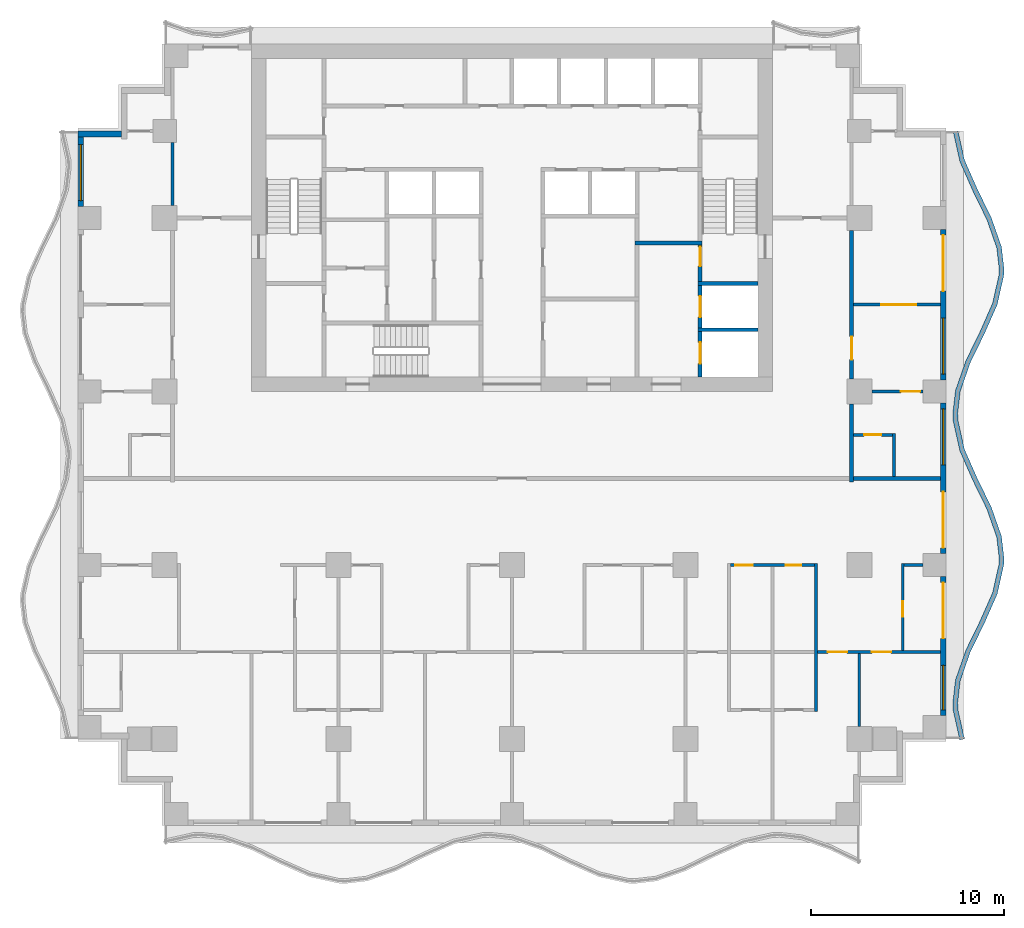
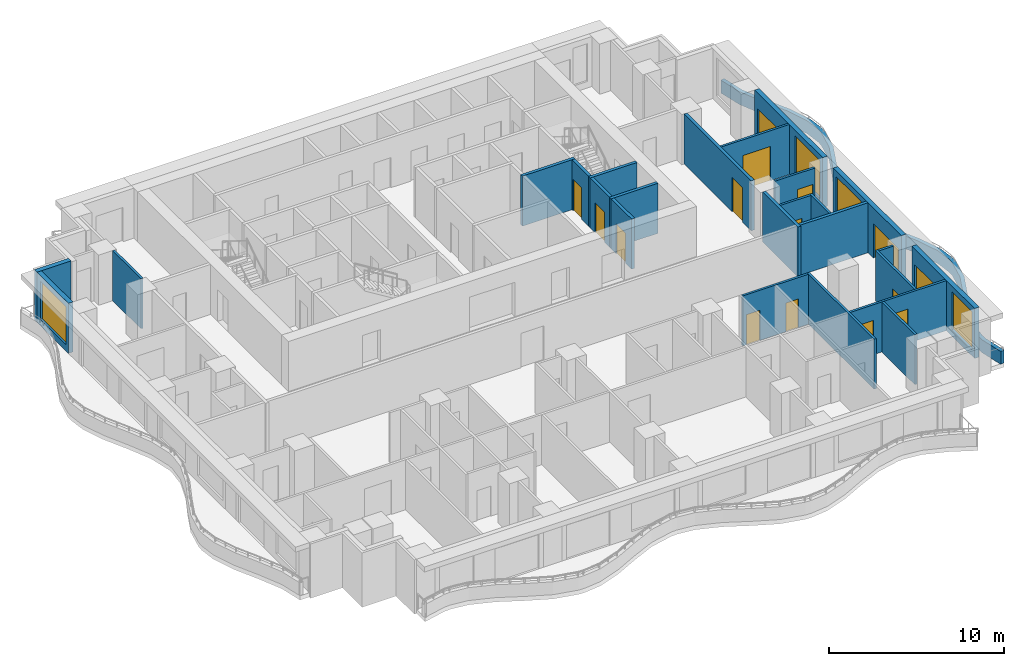
# One storey, part 4 of 10: 26 walls, 15 doors, 4 windows, 19 openings.
"""IFC4 building model written with IfcOpenShell, lengths in metres."""

from ifc_helpers import new_model, si_unit, direction, frame, frame_2d, origin, place, context, subcontext, project, spatial, polyline, rectangle, outline, extrude, material, layer, layer_set, type_object, element, fill, save


model = new_model("IFC4")

# Units and contexts
model_context = context("Model", 3, precision=1e-05, world=origin(), true_north=direction((0.0, 1.0)))
body_context = subcontext(model_context, "Body", "Model", "MODEL_VIEW")
ifc_project = project(units=[si_unit("LENGTHUNIT", "METRE"), si_unit("AREAUNIT", "SQUARE_METRE"), si_unit("VOLUMEUNIT", "CUBIC_METRE"), si_unit("PLANEANGLEUNIT", "RADIAN"), si_unit("MASSUNIT", "GRAM", prefix="KILO")], contexts=[model_context])

# Site, building, storey
site_placement = place(None, origin())
site = spatial("IfcSite", under=ifc_project, at=site_placement, CompositionType="ELEMENT")
building_placement = place(site_placement, origin())
building = spatial("IfcBuilding", under=site, at=building_placement, Name="Orbiselva Terraces", CompositionType="ELEMENT")
storey_placement = place(building_placement, frame((0.0, 0.0, 132.6)))
storey = spatial("IfcBuildingStorey", under=building, at=storey_placement, Name="L33", CompositionType="ELEMENT", Elevation=132.6)

# Wall
ifc_material_1 = material(Name="Concrete C60/75", Category="concrete")
ifc_layer_1 = layer(ifc_material_1, 0.2)
ifc_layer_set_1 = layer_set([ifc_layer_1], Name="Concrete C60/75")
wall_type_1 = type_object("IfcWallType", Name="CORE-WALL-SHEAR-200", PredefinedType="SHEAR", material=ifc_layer_set_1)
wall_1_placement = place(storey_placement, frame((6.375, 12.2, 0.0), z_axis=(0.0, 0.0, 1.0), x_axis=(1.0, 0.0, 0.0)))
element("IfcWall", 1, at=wall_1_placement, inside=storey, type_object=wall_type_1, Name="L33 core wall 38", PredefinedType="SHEAR", context=body_context, shape_type="SweptSolid", body=[
    extrude(rectangle(XDim=3.475, YDim=0.2, at=frame_2d((1.7375, 0.0))), origin(), (0.0, 0.0, 1.0), 3.5),
])

# Wall, opening, door
wall_2_placement = place(storey_placement, frame((9.75, 5.25, 0.0), z_axis=(0.0, 0.0, 1.0), x_axis=(0.0, 1.0, 0.0)))
wall_2 = element("IfcWall", 2, at=wall_2_placement, inside=storey, type_object=wall_type_1, Name="L33 core wall 42", PredefinedType="SHEAR", context=body_context, shape_type="SweptSolid", body=[
    extrude(rectangle(XDim=2.35, YDim=0.2, at=frame_2d((1.175, 0.0))), origin(), (0.0, 0.0, 1.0), 3.5),
])
opening_1_placement = place(wall_2_placement, frame((0.7, 0.0, 0.0)))
opening_1 = element("IfcOpeningElement", 3, at=opening_1_placement, cuts=wall_2, Name="Opening LD-FF1", PredefinedType="OPENING", context=body_context, shape_type="SweptSolid", body=[
    extrude(rectangle(XDim=1.1, YDim=2.1, at=frame_2d((0.55, 1.05))), frame((0.0, 0.11, 0.0), z_axis=(0.0, -1.0, 0.0), x_axis=(1.0, 0.0, 0.0)), (0.0, 0.0, 1.0), 0.22),
])
ifc_material_2 = material(Name="Stainless steel landing door", Category="steel")
door_type_1 = type_object("IfcDoorType", Name="LANDING DOOR 1100", OperationType="SLIDING_TO_LEFT", PredefinedType="DOOR", material=ifc_material_2)
door_1_placement = place(opening_1_placement, origin())
door_1 = element("IfcDoor", 4, at=door_1_placement, inside=storey, type_object=door_type_1, Name="L33 landing door FF1", OperationType="SLIDING_TO_RIGHT", OverallHeight=2.1, OverallWidth=1.1, PredefinedType="DOOR", context=body_context, shape_type="SweptSolid", body=[
    extrude(rectangle(XDim=1.1, YDim=2.1, at=frame_2d((0.55, 1.05))), frame((0.0, 0.025, 0.0), z_axis=(0.0, -1.0, 0.0), x_axis=(1.0, 0.0, 0.0)), (0.0, 0.0, 1.0), 0.05),
])
fill(opening_1, door_1)

# Wall
wall_3_placement = place(storey_placement, frame((9.65, 7.7, 0.0), z_axis=(0.0, 0.0, 1.0), x_axis=(1.0, 0.0, 0.0)))
element("IfcWall", 5, at=wall_3_placement, inside=storey, type_object=wall_type_1, Name="L33 core wall 43", PredefinedType="SHEAR", context=body_context, shape_type="SweptSolid", body=[
    extrude(rectangle(XDim=3.1, YDim=0.2, at=frame_2d((1.55, 0.0))), origin(), (0.0, 0.0, 1.0), 3.5),
])

# Wall, opening, door
wall_4_placement = place(storey_placement, frame((9.75, 7.8, 0.0), z_axis=(0.0, 0.0, 1.0), x_axis=(0.0, 1.0, 0.0)))
wall_4 = element("IfcWall", 6, at=wall_4_placement, inside=storey, type_object=wall_type_1, Name="L33 core wall 44", PredefinedType="SHEAR", context=body_context, shape_type="SweptSolid", body=[
    extrude(rectangle(XDim=2.2, YDim=0.2, at=frame_2d((1.1, 0.0))), origin(), (0.0, 0.0, 1.0), 3.5),
])
opening_2_placement = place(wall_4_placement, frame((0.55, 0.0, 0.0)))
opening_2 = element("IfcOpeningElement", 7, at=opening_2_placement, cuts=wall_4, Name="Opening LD-FF2", PredefinedType="OPENING", context=body_context, shape_type="SweptSolid", body=[
    extrude(rectangle(XDim=1.1, YDim=2.1, at=frame_2d((0.55, 1.05))), frame((0.0, 0.11, 0.0), z_axis=(0.0, -1.0, 0.0), x_axis=(1.0, 0.0, 0.0)), (0.0, 0.0, 1.0), 0.22),
])
door_2_placement = place(opening_2_placement, origin())
door_2 = element("IfcDoor", 8, at=door_2_placement, inside=storey, type_object=door_type_1, Name="L33 landing door FF2", OperationType="SLIDING_TO_RIGHT", OverallHeight=2.1, OverallWidth=1.1, PredefinedType="DOOR", context=body_context, shape_type="SweptSolid", body=[
    extrude(rectangle(XDim=1.1, YDim=2.1, at=frame_2d((0.55, 1.05))), frame((0.0, 0.025, 0.0), z_axis=(0.0, -1.0, 0.0), x_axis=(1.0, 0.0, 0.0)), (0.0, 0.0, 1.0), 0.05),
])
fill(opening_2, door_2)

# Wall
wall_5_placement = place(storey_placement, frame((9.65, 10.1, 0.0), z_axis=(0.0, 0.0, 1.0), x_axis=(1.0, 0.0, 0.0)))
element("IfcWall", 9, at=wall_5_placement, inside=storey, type_object=wall_type_1, Name="L33 core wall 45", PredefinedType="SHEAR", context=body_context, shape_type="SweptSolid", body=[
    extrude(rectangle(XDim=3.1, YDim=0.2, at=frame_2d((1.55, 0.0))), origin(), (0.0, 0.0, 1.0), 3.5),
])

# Wall, opening, door
wall_6_placement = place(storey_placement, frame((9.75, 12.1, 0.0), z_axis=(0.0, 0.0, 1.0), x_axis=(0.0, -1.0, 0.0)))
wall_6 = element("IfcWall", 10, at=wall_6_placement, inside=storey, type_object=wall_type_1, Name="L33 core wall 46", PredefinedType="SHEAR", context=body_context, shape_type="SweptSolid", body=[
    extrude(rectangle(XDim=1.9, YDim=0.2, at=frame_2d((0.95, 0.0))), origin(), (0.0, 0.0, 1.0), 3.5),
])
opening_3_placement = place(wall_6_placement, frame((0.1, 0.0, 0.0)))
opening_3 = element("IfcOpeningElement", 11, at=opening_3_placement, cuts=wall_6, Name="Opening DS1000", PredefinedType="OPENING", context=body_context, shape_type="SweptSolid", body=[
    extrude(rectangle(XDim=1.0, YDim=2.2, at=frame_2d((0.5, 1.1))), frame((0.0, 0.11, 0.0), z_axis=(0.0, -1.0, 0.0), x_axis=(1.0, 0.0, 0.0)), (0.0, 0.0, 1.0), 0.22),
])
ifc_material_3 = material(Name="Steel fire door", Category="steel")
door_type_2 = type_object("IfcDoorType", Name="STAIR DOOR 1000", OperationType="NOTDEFINED", PredefinedType="DOOR", material=ifc_material_3)
door_3_placement = place(opening_3_placement, origin())
door_3 = element("IfcDoor", 12, at=door_3_placement, inside=storey, type_object=door_type_2, Name="L33 FIRE-FIGHTING LOBBY TO EXIT STAIR S2 door", OperationType="SINGLE_SWING_LEFT", OverallHeight=2.2, OverallWidth=1.0, PredefinedType="DOOR", context=body_context, shape_type="SweptSolid", body=[
    extrude(rectangle(XDim=1.0, YDim=2.2, at=frame_2d((0.5, 1.1))), frame((0.0, 0.025, 0.0), z_axis=(0.0, -1.0, 0.0), x_axis=(1.0, 0.0, 0.0)), (0.0, 0.0, 1.0), 0.05),
])
fill(opening_3, door_3)

# Wall
ifc_material_4 = material(Name="Concrete C40/50", Category="concrete")
ifc_layer_2 = layer(ifc_material_4, 0.25)
ifc_layer_set_2 = layer_set([ifc_layer_2], Name="Concrete C40/50")
wall_type_2 = type_object("IfcWallType", Name="ENV-PLANTER-250x900", PredefinedType="USERDEFINED", material=ifc_layer_set_2)
wall_7_placement = place(storey_placement, origin())
element("IfcWall", 13, at=wall_7_placement, inside=storey, type_object=wall_type_2, Name="Balcony planter L33 E", ObjectType="PLANTER", PredefinedType="USERDEFINED", context=body_context, shape_type="SweptSolid", body=[
    extrude(outline(polyline([(23.451472, -13.5), (23.114774, -12.0), (23.1, -11.625), (23.230792, -10.5), (23.755211, -9.0), (24.487721, -7.5), (25.148528, -6.0), (25.485226, -4.5), (25.5, -4.125), (25.369208, -3.0), (24.844789, -1.5), (24.112279, 0.0), (23.451472, 1.5), (23.114774, 3.0), (23.1, 3.375), (23.230792, 4.5), (23.755211, 6.0), (24.487721, 7.5), (25.148528, 9.0), (25.485226, 10.5), (25.5, 10.875), (25.369208, 12.0), (24.844789, 13.5), (24.112279, 15.0), (23.451472, 16.5), (23.114774, 18.0), (22.870844, 17.945246), (23.212874, 16.421492), (23.885477, 14.894714), (24.613667, 13.40356), (25.124078, 11.943629), (25.249429, 10.865428), (25.236315, 10.532565), (24.90993, 9.078508), (24.260919, 7.605286), (23.524089, 6.09644), (22.985662, 4.556371), (22.849429, 3.384572), (22.865863, 2.967435), (23.212874, 1.421492), (23.885477, -0.105286), (24.613667, -1.59644), (25.124078, -3.056371), (25.249429, -4.134572), (25.236315, -4.467435), (24.90993, -5.921492), (24.260919, -7.394714), (23.524089, -8.90356), (22.985662, -10.443629), (22.849429, -11.615428), (22.865863, -12.032565), (23.207542, -13.554754), (23.451472, -13.5)])), origin(), (0.0, 0.0, 1.0), 0.9),
])

# Wall, openings, door, window
ifc_material_5 = material(Name="Terracotta cladding on masonry backing", Category="masonry")
ifc_layer_3 = layer(ifc_material_5, 0.3)
ifc_layer_set_3 = layer_set([ifc_layer_3], Name="Terracotta cladding on masonry backing")
wall_type_3 = type_object("IfcWallType", Name="ENV-WALL-TERRACOTTA-300", PredefinedType="SOLIDWALL", material=ifc_layer_set_3)
wall_8_placement = place(storey_placement, frame((22.35, -5.1, 0.0), z_axis=(0.0, 0.0, 1.0), x_axis=(0.0, -1.0, 0.0)))
wall_8 = element("IfcWall", 14, at=wall_8_placement, inside=storey, type_object=wall_type_3, Name="Facade wall L33 E", PredefinedType="SOLIDWALL", context=body_context, shape_type="SweptSolid", body=[
    extrude(rectangle(XDim=7.2, YDim=0.3, at=frame_2d((3.6, 0.0))), origin(), (0.0, 0.0, 1.0), 3.5),
])
opening_4_placement = place(wall_8_placement, frame((4.6, 0.0, 0.45)))
opening_4 = element("IfcOpeningElement", 15, at=opening_4_placement, cuts=wall_8, Name="Opening WN7", PredefinedType="OPENING", context=body_context, shape_type="SweptSolid", body=[
    extrude(rectangle(XDim=2.3, YDim=2.65, at=frame_2d((1.15, 1.325))), frame((0.0, 0.16, 0.0), z_axis=(0.0, -1.0, 0.0), x_axis=(1.0, 0.0, 0.0)), (0.0, 0.0, 1.0), 0.32),
])
opening_5_placement = place(wall_8_placement, frame((0.3, 0.0, 0.0)))
opening_5 = element("IfcOpeningElement", 16, at=opening_5_placement, cuts=wall_8, Name="Opening Z3-A-E18", PredefinedType="OPENING", context=body_context, shape_type="SweptSolid", body=[
    extrude(rectangle(XDim=2.9, YDim=2.4, at=frame_2d((1.45, 1.2))), frame((0.0, 0.16, 0.0), z_axis=(0.0, -1.0, 0.0), x_axis=(1.0, 0.0, 0.0)), (0.0, 0.0, 1.0), 0.32),
])
ifc_material_6 = material(Name="Clear low-e glazing in aluminium frame", Category="aluminium")
door_type_3 = type_object("IfcDoorType", Name="BALCONY DOOR 2900 X 2400", OperationType="DOUBLE_DOOR_SLIDING", PredefinedType="DOOR", material=ifc_material_6)
door_4_placement = place(opening_5_placement, origin())
door_4 = element("IfcDoor", 17, at=door_4_placement, inside=storey, type_object=door_type_3, Name="Z3-A-E18", OperationType="SINGLE_SWING_LEFT", OverallHeight=2.4, OverallWidth=2.9, PredefinedType="DOOR", context=body_context, shape_type="SweptSolid", body=[
    extrude(rectangle(XDim=2.9, YDim=2.4, at=frame_2d((1.45, 1.2))), frame((0.0, 0.025, 0.0), z_axis=(0.0, -1.0, 0.0), x_axis=(1.0, 0.0, 0.0)), (0.0, 0.0, 1.0), 0.05),
])
fill(opening_5, door_4)
window_type_1 = type_object("IfcWindowType", Name="WINDOW 2300 X 2650 S450", PartitioningType="TRIPLE_PANEL_VERTICAL", PredefinedType="WINDOW", material=ifc_material_6)
window_1_placement = place(opening_4_placement, origin())
window_1 = element("IfcWindow", 18, at=window_1_placement, inside=storey, type_object=window_type_1, Name="Window L33 E", OverallHeight=2.65, OverallWidth=2.3, PartitioningType="SINGLE_PANEL", PredefinedType="WINDOW", context=body_context, shape_type="SweptSolid", body=[
    extrude(rectangle(XDim=2.3, YDim=2.65, at=frame_2d((1.15, 1.325))), frame((0.0, 0.03, 0.0), z_axis=(0.0, -1.0, 0.0), x_axis=(1.0, 0.0, 0.0)), (0.0, 0.0, 1.0), 0.06),
])
fill(opening_4, window_1)

wall_9_placement = place(storey_placement, frame((22.35, 3.9, 0.0), z_axis=(0.0, 0.0, 1.0), x_axis=(0.0, -1.0, 0.0)))
wall_9 = element("IfcWall", 19, at=wall_9_placement, inside=storey, type_object=wall_type_3, Name="Facade wall L33 E", PredefinedType="SOLIDWALL", context=body_context, shape_type="SweptSolid", body=[
    extrude(rectangle(XDim=7.8, YDim=0.3, at=frame_2d((3.9, 0.0))), origin(), (0.0, 0.0, 1.0), 3.5),
])
opening_6_placement = place(wall_9_placement, frame((4.6, 0.0, 0.0)))
opening_6 = element("IfcOpeningElement", 20, at=opening_6_placement, cuts=wall_9, Name="Opening Z3-A-E04", PredefinedType="OPENING", context=body_context, shape_type="SweptSolid", body=[
    extrude(rectangle(XDim=2.9, YDim=2.4, at=frame_2d((1.45, 1.2))), frame((0.0, 0.16, 0.0), z_axis=(0.0, -1.0, 0.0), x_axis=(1.0, 0.0, 0.0)), (0.0, 0.0, 1.0), 0.32),
])
opening_7_placement = place(wall_9_placement, frame((0.3, 0.0, 0.45)))
opening_7 = element("IfcOpeningElement", 21, at=opening_7_placement, cuts=wall_9, Name="Opening WN8", PredefinedType="OPENING", context=body_context, shape_type="SweptSolid", body=[
    extrude(rectangle(XDim=2.9, YDim=2.65, at=frame_2d((1.45, 1.325))), frame((0.0, 0.16, 0.0), z_axis=(0.0, -1.0, 0.0), x_axis=(1.0, 0.0, 0.0)), (0.0, 0.0, 1.0), 0.32),
])
door_5_placement = place(opening_6_placement, origin())
door_5 = element("IfcDoor", 22, at=door_5_placement, inside=storey, type_object=door_type_3, Name="Z3-A-E04", OperationType="SINGLE_SWING_LEFT", OverallHeight=2.4, OverallWidth=2.9, PredefinedType="DOOR", context=body_context, shape_type="SweptSolid", body=[
    extrude(rectangle(XDim=2.9, YDim=2.4, at=frame_2d((1.45, 1.2))), frame((0.0, 0.025, 0.0), z_axis=(0.0, -1.0, 0.0), x_axis=(1.0, 0.0, 0.0)), (0.0, 0.0, 1.0), 0.05),
])
fill(opening_6, door_5)
window_type_2 = type_object("IfcWindowType", Name="WINDOW 2900 X 2650 S450", PartitioningType="TRIPLE_PANEL_VERTICAL", PredefinedType="WINDOW", material=ifc_material_6)
window_2_placement = place(opening_7_placement, origin())
window_2 = element("IfcWindow", 23, at=window_2_placement, inside=storey, type_object=window_type_2, Name="Window L33 E", OverallHeight=2.65, OverallWidth=2.9, PartitioningType="SINGLE_PANEL", PredefinedType="WINDOW", context=body_context, shape_type="SweptSolid", body=[
    extrude(rectangle(XDim=2.9, YDim=2.65, at=frame_2d((1.45, 1.325))), frame((0.0, 0.03, 0.0), z_axis=(0.0, -1.0, 0.0), x_axis=(1.0, 0.0, 0.0)), (0.0, 0.0, 1.0), 0.06),
])
fill(opening_7, window_2)

wall_10_placement = place(storey_placement, frame((22.35, 12.9, 0.0), z_axis=(0.0, 0.0, 1.0), x_axis=(0.0, -1.0, 0.0)))
wall_10 = element("IfcWall", 24, at=wall_10_placement, inside=storey, type_object=wall_type_3, Name="Facade wall L33 E", PredefinedType="SOLIDWALL", context=body_context, shape_type="SweptSolid", body=[
    extrude(rectangle(XDim=7.8, YDim=0.3, at=frame_2d((3.9, 0.0))), origin(), (0.0, 0.0, 1.0), 3.5),
])
opening_8_placement = place(wall_10_placement, frame((4.6, 0.0, 0.45)))
opening_8 = element("IfcOpeningElement", 25, at=opening_8_placement, cuts=wall_10, Name="Opening WN8", PredefinedType="OPENING", context=body_context, shape_type="SweptSolid", body=[
    extrude(rectangle(XDim=2.9, YDim=2.65, at=frame_2d((1.45, 1.325))), frame((0.0, 0.16, 0.0), z_axis=(0.0, -1.0, 0.0), x_axis=(1.0, 0.0, 0.0)), (0.0, 0.0, 1.0), 0.32),
])
opening_9_placement = place(wall_10_placement, frame((0.3, 0.0, 0.0)))
opening_9 = element("IfcOpeningElement", 26, at=opening_9_placement, cuts=wall_10, Name="Opening Z3-A-E13", PredefinedType="OPENING", context=body_context, shape_type="SweptSolid", body=[
    extrude(rectangle(XDim=2.9, YDim=2.4, at=frame_2d((1.45, 1.2))), frame((0.0, 0.16, 0.0), z_axis=(0.0, -1.0, 0.0), x_axis=(1.0, 0.0, 0.0)), (0.0, 0.0, 1.0), 0.32),
])
door_6_placement = place(opening_9_placement, origin())
door_6 = element("IfcDoor", 27, at=door_6_placement, inside=storey, type_object=door_type_3, Name="Z3-A-E13", OperationType="SINGLE_SWING_LEFT", OverallHeight=2.4, OverallWidth=2.9, PredefinedType="DOOR", context=body_context, shape_type="SweptSolid", body=[
    extrude(rectangle(XDim=2.9, YDim=2.4, at=frame_2d((1.45, 1.2))), frame((0.0, 0.025, 0.0), z_axis=(0.0, -1.0, 0.0), x_axis=(1.0, 0.0, 0.0)), (0.0, 0.0, 1.0), 0.05),
])
fill(opening_9, door_6)
window_3_placement = place(opening_8_placement, origin())
window_3 = element("IfcWindow", 28, at=window_3_placement, inside=storey, type_object=window_type_2, Name="Window L33 E", OverallHeight=2.65, OverallWidth=2.9, PartitioningType="SINGLE_PANEL", PredefinedType="WINDOW", context=body_context, shape_type="SweptSolid", body=[
    extrude(rectangle(XDim=2.9, YDim=2.65, at=frame_2d((1.45, 1.325))), frame((0.0, 0.03, 0.0), z_axis=(0.0, -1.0, 0.0), x_axis=(1.0, 0.0, 0.0)), (0.0, 0.0, 1.0), 0.06),
])
fill(opening_8, window_3)

# Wall
wall_11_placement = place(storey_placement, frame((-22.5, 17.85, 0.0), z_axis=(0.0, 0.0, 1.0), x_axis=(1.0, 0.0, 0.0)))
element("IfcWall", 29, at=wall_11_placement, inside=storey, type_object=wall_type_3, Name="Facade wall L33 STEP", PredefinedType="SOLIDWALL", context=body_context, shape_type="SweptSolid", body=[
    extrude(rectangle(XDim=2.25, YDim=0.3, at=frame_2d((1.125, 0.0))), origin(), (0.0, 0.0, 1.0), 3.5),
])

# Wall, opening, window
wall_12_placement = place(storey_placement, frame((-22.35, 14.1, 0.0), z_axis=(0.0, 0.0, 1.0), x_axis=(0.0, 1.0, 0.0)))
wall_12 = element("IfcWall", 30, at=wall_12_placement, inside=storey, type_object=wall_type_3, Name="Facade wall L33 W", PredefinedType="SOLIDWALL", context=body_context, shape_type="SweptSolid", body=[
    extrude(rectangle(XDim=3.6, YDim=0.3, at=frame_2d((1.8, 0.0))), origin(), (0.0, 0.0, 1.0), 3.5),
])
opening_10_placement = place(wall_12_placement, frame((0.3, 0.0, 0.45)))
opening_10 = element("IfcOpeningElement", 31, at=opening_10_placement, cuts=wall_12, Name="Opening WN8", PredefinedType="OPENING", context=body_context, shape_type="SweptSolid", body=[
    extrude(rectangle(XDim=2.9, YDim=2.65, at=frame_2d((1.45, 1.325))), frame((0.0, 0.16, 0.0), z_axis=(0.0, -1.0, 0.0), x_axis=(1.0, 0.0, 0.0)), (0.0, 0.0, 1.0), 0.32),
])
window_4_placement = place(opening_10_placement, origin())
window_4 = element("IfcWindow", 32, at=window_4_placement, inside=storey, type_object=window_type_2, Name="Window L33 W", OverallHeight=2.65, OverallWidth=2.9, PartitioningType="SINGLE_PANEL", PredefinedType="WINDOW", context=body_context, shape_type="SweptSolid", body=[
    extrude(rectangle(XDim=2.9, YDim=2.65, at=frame_2d((1.45, 1.325))), frame((0.0, 0.03, 0.0), z_axis=(0.0, -1.0, 0.0), x_axis=(1.0, 0.0, 0.0)), (0.0, 0.0, 1.0), 0.06),
])
fill(opening_10, window_4)

# Wall
ifc_material_7 = material(Name="Plasterboard on steel stud partition", Category="steel")
ifc_layer_4 = layer(ifc_material_7, 0.2)
ifc_layer_set_4 = layer_set([ifc_layer_4], Name="Plasterboard on steel stud partition")
wall_type_4 = type_object("IfcWallType", Name="UNIT-ENTRANCE-WALL-200", PredefinedType="PARTITIONING", material=ifc_layer_set_4)
wall_13_placement = place(storey_placement, frame((17.6, -0.2, 0.0), z_axis=(0.0, 0.0, 1.0), x_axis=(0.0, 1.0, 0.0)))
element("IfcWall", 33, at=wall_13_placement, inside=storey, type_object=wall_type_4, Name="PARTITION L33-058", PredefinedType="PARTITIONING", context=body_context, shape_type="SweptSolid", body=[
    extrude(rectangle(XDim=4.05, YDim=0.2, at=frame_2d((2.025, 0.0))), origin(), (0.0, 0.0, 1.0), 3.5),
])

# Wall, opening, door
wall_14_placement = place(storey_placement, frame((17.6, 12.85, 0.0), z_axis=(0.0, 0.0, 1.0), x_axis=(0.0, -1.0, 0.0)))
wall_14 = element("IfcWall", 34, at=wall_14_placement, inside=storey, type_object=wall_type_4, Name="PARTITION L33-059", PredefinedType="PARTITIONING", context=body_context, shape_type="SweptSolid", body=[
    extrude(rectangle(XDim=7.7, YDim=0.2, at=frame_2d((3.85, 0.0))), origin(), (0.0, 0.0, 1.0), 3.5),
])
opening_11_placement = place(wall_14_placement, frame((5.5, 0.0, 0.0)))
opening_11 = element("IfcOpeningElement", 35, at=opening_11_placement, cuts=wall_14, Name="Opening Z3-A-10", PredefinedType="OPENING", context=body_context, shape_type="SweptSolid", body=[
    extrude(rectangle(XDim=1.2, YDim=2.4, at=frame_2d((0.6, 1.2))), frame((0.0, 0.11, 0.0), z_axis=(0.0, -1.0, 0.0), x_axis=(1.0, 0.0, 0.0)), (0.0, 0.0, 1.0), 0.22),
])
ifc_material_8 = material(Name="Painted timber door leaf", Category="wood")
door_type_4 = type_object("IfcDoorType", Name="ENTRANCE DOOR 1200", OperationType="NOTDEFINED", PredefinedType="DOOR", material=ifc_material_8)
door_7_placement = place(opening_11_placement, origin())
door_7 = element("IfcDoor", 36, at=door_7_placement, inside=storey, type_object=door_type_4, Name="Z3-A-10", OperationType="SINGLE_SWING_RIGHT", OverallHeight=2.4, OverallWidth=1.2, PredefinedType="DOOR", context=body_context, shape_type="SweptSolid", body=[
    extrude(rectangle(XDim=1.2, YDim=2.4, at=frame_2d((0.6, 1.2))), frame((0.0, 0.025, 0.0), z_axis=(0.0, -1.0, 0.0), x_axis=(1.0, 0.0, 0.0)), (0.0, 0.0, 1.0), 0.05),
])
fill(opening_11, door_7)

# Wall, openings, doors
ifc_layer_5 = layer(ifc_material_7, 0.15)
ifc_layer_set_5 = layer_set([ifc_layer_5], Name="Plasterboard on steel stud partition")
wall_type_5 = type_object("IfcWallType", Name="UNIT-PARTITION-150", PredefinedType="PARTITIONING", material=ifc_layer_set_5)
wall_15_placement = place(storey_placement, frame((22.2, -9.0, 0.0), z_axis=(0.0, 0.0, 1.0), x_axis=(-1.0, 0.0, 0.0)))
wall_15 = element("IfcWall", 37, at=wall_15_placement, inside=storey, type_object=wall_type_5, Name="PARTITION L33-014", PredefinedType="PARTITIONING", context=body_context, shape_type="SweptSolid", body=[
    extrude(rectangle(XDim=6.375, YDim=0.15, at=frame_2d((3.1875, 0.0))), origin(), (0.0, 0.0, 1.0), 3.5),
])
opening_12_placement = place(wall_15_placement, frame((4.825, 0.0, 0.0)))
opening_12 = element("IfcOpeningElement", 38, at=opening_12_placement, cuts=wall_15, Name="Opening Z3-A-33", PredefinedType="OPENING", context=body_context, shape_type="SweptSolid", body=[
    extrude(rectangle(XDim=1.0, YDim=2.4, at=frame_2d((0.5, 1.2))), frame((0.0, 0.085, 0.0), z_axis=(0.0, -1.0, 0.0), x_axis=(1.0, 0.0, 0.0)), (0.0, 0.0, 1.0), 0.17),
])
opening_13_placement = place(wall_15_placement, frame((2.55, 0.0, 0.0)))
opening_13 = element("IfcOpeningElement", 39, at=opening_13_placement, cuts=wall_15, Name="Opening Z3-A-35", PredefinedType="OPENING", context=body_context, shape_type="SweptSolid", body=[
    extrude(rectangle(XDim=1.0, YDim=2.4, at=frame_2d((0.5, 1.2))), frame((0.0, 0.085, 0.0), z_axis=(0.0, -1.0, 0.0), x_axis=(1.0, 0.0, 0.0)), (0.0, 0.0, 1.0), 0.17),
])
door_type_5 = type_object("IfcDoorType", Name="ROOM DOOR 1000", OperationType="NOTDEFINED", PredefinedType="DOOR", material=ifc_material_8)
door_8_placement = place(opening_12_placement, origin())
door_8 = element("IfcDoor", 40, at=door_8_placement, inside=storey, type_object=door_type_5, Name="Z3-A-33", OperationType="SINGLE_SWING_RIGHT", OverallHeight=2.4, OverallWidth=1.0, PredefinedType="DOOR", context=body_context, shape_type="SweptSolid", body=[
    extrude(rectangle(XDim=1.0, YDim=2.4, at=frame_2d((0.5, 1.2))), frame((0.0, 0.025, 0.0), z_axis=(0.0, -1.0, 0.0), x_axis=(1.0, 0.0, 0.0)), (0.0, 0.0, 1.0), 0.05),
])
fill(opening_12, door_8)
door_9_placement = place(opening_13_placement, origin())
door_9 = element("IfcDoor", 41, at=door_9_placement, inside=storey, type_object=door_type_5, Name="Z3-A-35", OperationType="SINGLE_SWING_LEFT", OverallHeight=2.4, OverallWidth=1.0, PredefinedType="DOOR", context=body_context, shape_type="SweptSolid", body=[
    extrude(rectangle(XDim=1.0, YDim=2.4, at=frame_2d((0.5, 1.2))), frame((0.0, 0.025, 0.0), z_axis=(0.0, -1.0, 0.0), x_axis=(1.0, 0.0, 0.0)), (0.0, 0.0, 1.0), 0.05),
])
fill(opening_13, door_9)

wall_16_placement = place(storey_placement, frame((15.675, -4.5, 0.0), z_axis=(0.0, 0.0, 1.0), x_axis=(-1.0, 0.0, 0.0)))
wall_16 = element("IfcWall", 42, at=wall_16_placement, inside=storey, type_object=wall_type_5, Name="PARTITION L33-020", PredefinedType="PARTITIONING", context=body_context, shape_type="SweptSolid", body=[
    extrude(rectangle(XDim=4.35, YDim=0.15, at=frame_2d((2.175, 0.0))), origin(), (0.0, 0.0, 1.0), 3.5),
])
opening_14_placement = place(wall_16_placement, frame((3.2, 0.0, 0.0)))
opening_14 = element("IfcOpeningElement", 43, at=opening_14_placement, cuts=wall_16, Name="Opening Z3-A-20", PredefinedType="OPENING", context=body_context, shape_type="SweptSolid", body=[
    extrude(rectangle(XDim=0.9, YDim=2.1, at=frame_2d((0.45, 1.05))), frame((0.0, 0.085, 0.0), z_axis=(0.0, -1.0, 0.0), x_axis=(1.0, 0.0, 0.0)), (0.0, 0.0, 1.0), 0.17),
])
opening_15_placement = place(wall_16_placement, frame((0.675, 0.0, 0.0)))
opening_15 = element("IfcOpeningElement", 44, at=opening_15_placement, cuts=wall_16, Name="Opening Z3-A-21", PredefinedType="OPENING", context=body_context, shape_type="SweptSolid", body=[
    extrude(rectangle(XDim=0.8, YDim=2.0, at=frame_2d((0.4, 1.0))), frame((0.0, 0.085, 0.0), z_axis=(0.0, -1.0, 0.0), x_axis=(1.0, 0.0, 0.0)), (0.0, 0.0, 1.0), 0.17),
])
door_type_6 = type_object("IfcDoorType", Name="SERVICE DOOR 900", OperationType="NOTDEFINED", PredefinedType="DOOR", material=ifc_material_8)
door_10_placement = place(opening_14_placement, origin())
door_10 = element("IfcDoor", 45, at=door_10_placement, inside=storey, type_object=door_type_6, Name="Z3-A-20", OperationType="SINGLE_SWING_RIGHT", OverallHeight=2.1, OverallWidth=0.9, PredefinedType="DOOR", context=body_context, shape_type="SweptSolid", body=[
    extrude(rectangle(XDim=0.9, YDim=2.1, at=frame_2d((0.45, 1.05))), frame((0.0, 0.025, 0.0), z_axis=(0.0, -1.0, 0.0), x_axis=(1.0, 0.0, 0.0)), (0.0, 0.0, 1.0), 0.05),
])
fill(opening_14, door_10)
door_type_7 = type_object("IfcDoorType", Name="STORE DOOR 800", OperationType="NOTDEFINED", PredefinedType="DOOR", material=ifc_material_8)
door_11_placement = place(opening_15_placement, origin())
door_11 = element("IfcDoor", 46, at=door_11_placement, inside=storey, type_object=door_type_7, Name="Z3-A-21", OperationType="SINGLE_SWING_LEFT", OverallHeight=2.0, OverallWidth=0.8, PredefinedType="DOOR", context=body_context, shape_type="SweptSolid", body=[
    extrude(rectangle(XDim=0.8, YDim=2.0, at=frame_2d((0.4, 1.0))), frame((0.0, 0.025, 0.0), z_axis=(0.0, -1.0, 0.0), x_axis=(1.0, 0.0, 0.0)), (0.0, 0.0, 1.0), 0.05),
])
fill(opening_15, door_11)

# Wall
wall_17_placement = place(storey_placement, frame((20.325, -4.5, 0.0), z_axis=(0.0, 0.0, 1.0), x_axis=(1.0, 0.0, 0.0)))
element("IfcWall", 47, at=wall_17_placement, inside=storey, type_object=wall_type_5, Name="PARTITION L33-021", PredefinedType="PARTITIONING", context=body_context, shape_type="SweptSolid", body=[
    extrude(rectangle(XDim=0.975, YDim=0.15, at=frame_2d((0.4875, 0.0))), origin(), (0.0, 0.0, 1.0), 3.5),
])

# Wall, opening, door
wall_18_placement = place(storey_placement, frame((19.73, 2.25, 0.0), z_axis=(0.0, 0.0, 1.0), x_axis=(-1.0, 0.0, 0.0)))
wall_18 = element("IfcWall", 48, at=wall_18_placement, inside=storey, type_object=wall_type_5, Name="PARTITION L33-026", PredefinedType="PARTITIONING", context=body_context, shape_type="SweptSolid", body=[
    extrude(rectangle(XDim=2.03, YDim=0.15, at=frame_2d((1.015, 0.0))), origin(), (0.0, 0.0, 1.0), 3.5),
])
opening_16_placement = place(wall_18_placement, frame((0.58, 0.0, 0.0)))
opening_16 = element("IfcOpeningElement", 49, at=opening_16_placement, cuts=wall_18, Name="Opening Z3-A-09", PredefinedType="OPENING", context=body_context, shape_type="SweptSolid", body=[
    extrude(rectangle(XDim=0.9, YDim=2.1, at=frame_2d((0.45, 1.05))), frame((0.0, 0.085, 0.0), z_axis=(0.0, -1.0, 0.0), x_axis=(1.0, 0.0, 0.0)), (0.0, 0.0, 1.0), 0.17),
])
door_type_8 = type_object("IfcDoorType", Name="BATH DOOR 900", OperationType="NOTDEFINED", PredefinedType="DOOR", material=ifc_material_8)
door_12_placement = place(opening_16_placement, origin())
door_12 = element("IfcDoor", 50, at=door_12_placement, inside=storey, type_object=door_type_8, Name="Z3-A-09", OperationType="SINGLE_SWING_RIGHT", OverallHeight=2.1, OverallWidth=0.9, PredefinedType="DOOR", context=body_context, shape_type="SweptSolid", body=[
    extrude(rectangle(XDim=0.9, YDim=2.1, at=frame_2d((0.45, 1.05))), frame((0.0, 0.025, 0.0), z_axis=(0.0, -1.0, 0.0), x_axis=(1.0, 0.0, 0.0)), (0.0, 0.0, 1.0), 0.05),
])
fill(opening_16, door_12)

wall_19_placement = place(storey_placement, frame((21.3, 4.5, 0.0), z_axis=(0.0, 0.0, 1.0), x_axis=(-1.0, 0.0, 0.0)))
wall_19 = element("IfcWall", 51, at=wall_19_placement, inside=storey, type_object=wall_type_5, Name="PARTITION L33-028", PredefinedType="PARTITIONING", context=body_context, shape_type="SweptSolid", body=[
    extrude(rectangle(XDim=2.65, YDim=0.15, at=frame_2d((1.325, 0.0))), origin(), (0.0, 0.0, 1.0), 3.5),
])
opening_17_placement = place(wall_19_placement, frame((0.15, 0.0, 0.0)))
opening_17 = element("IfcOpeningElement", 52, at=opening_17_placement, cuts=wall_19, Name="Opening Z3-A-08", PredefinedType="OPENING", context=body_context, shape_type="SweptSolid", body=[
    extrude(rectangle(XDim=1.0, YDim=2.4, at=frame_2d((0.5, 1.2))), frame((0.0, 0.085, 0.0), z_axis=(0.0, -1.0, 0.0), x_axis=(1.0, 0.0, 0.0)), (0.0, 0.0, 1.0), 0.17),
])
door_13_placement = place(opening_17_placement, origin())
door_13 = element("IfcDoor", 53, at=door_13_placement, inside=storey, type_object=door_type_5, Name="Z3-A-08", OperationType="SINGLE_SWING_LEFT", OverallHeight=2.4, OverallWidth=1.0, PredefinedType="DOOR", context=body_context, shape_type="SweptSolid", body=[
    extrude(rectangle(XDim=1.0, YDim=2.4, at=frame_2d((0.5, 1.2))), frame((0.0, 0.025, 0.0), z_axis=(0.0, -1.0, 0.0), x_axis=(1.0, 0.0, 0.0)), (0.0, 0.0, 1.0), 0.05),
])
fill(opening_17, door_13)

wall_20_placement = place(storey_placement, frame((17.7, 9.0, 0.0), z_axis=(0.0, 0.0, 1.0), x_axis=(1.0, 0.0, 0.0)))
wall_20 = element("IfcWall", 54, at=wall_20_placement, inside=storey, type_object=wall_type_5, Name="PARTITION L33-030", PredefinedType="PARTITIONING", context=body_context, shape_type="SweptSolid", body=[
    extrude(rectangle(XDim=4.5, YDim=0.15, at=frame_2d((2.25, 0.0))), origin(), (0.0, 0.0, 1.0), 3.5),
])
opening_18_placement = place(wall_20_placement, frame((1.45, 0.0, 0.0)))
opening_18 = element("IfcOpeningElement", 55, at=opening_18_placement, cuts=wall_20, Name="Opening Z3-A-11", PredefinedType="OPENING", context=body_context, shape_type="SweptSolid", body=[
    extrude(rectangle(XDim=1.8, YDim=2.4, at=frame_2d((0.9, 1.2))), frame((0.0, 0.085, 0.0), z_axis=(0.0, -1.0, 0.0), x_axis=(1.0, 0.0, 0.0)), (0.0, 0.0, 1.0), 0.17),
])
door_type_9 = type_object("IfcDoorType", Name="DOUBLE DOOR 1800", OperationType="NOTDEFINED", PredefinedType="DOOR", material=ifc_material_8)
door_14_placement = place(opening_18_placement, origin())
door_14 = element("IfcDoor", 56, at=door_14_placement, inside=storey, type_object=door_type_9, Name="Z3-A-11", OperationType="DOUBLE_DOOR_SINGLE_SWING", OverallHeight=2.4, OverallWidth=1.8, PredefinedType="DOOR", context=body_context, shape_type="SweptSolid", body=[
    extrude(rectangle(XDim=1.8, YDim=2.4, at=frame_2d((0.9, 1.2))), frame((0.0, 0.025, 0.0), z_axis=(0.0, -1.0, 0.0), x_axis=(1.0, 0.0, 0.0)), (0.0, 0.0, 1.0), 0.05),
])
fill(opening_18, door_14)

# Walls
wall_21_placement = place(storey_placement, frame((-17.6, 14.15, 0.0), z_axis=(0.0, 0.0, 1.0), x_axis=(0.0, 1.0, 0.0)))
element("IfcWall", 57, at=wall_21_placement, inside=storey, type_object=wall_type_5, Name="PARTITION L33-039", PredefinedType="PARTITIONING", context=body_context, shape_type="SweptSolid", body=[
    extrude(rectangle(XDim=3.25, YDim=0.15, at=frame_2d((1.625, 0.0))), origin(), (0.0, 0.0, 1.0), 3.5),
])
wall_22_placement = place(storey_placement, frame((15.75, -12.075, 0.0), z_axis=(0.0, 0.0, 1.0), x_axis=(0.0, 1.0, 0.0)))
element("IfcWall", 58, at=wall_22_placement, inside=storey, type_object=wall_type_5, Name="PARTITION L33-057", PredefinedType="PARTITIONING", context=body_context, shape_type="SweptSolid", body=[
    extrude(rectangle(XDim=7.65, YDim=0.15, at=frame_2d((3.825, 0.0))), origin(), (0.0, 0.0, 1.0), 3.5),
])
wall_23_placement = place(storey_placement, frame((18.0, -12.85, 0.0), z_axis=(0.0, 0.0, 1.0), x_axis=(0.0, 1.0, 0.0)))
element("IfcWall", 59, at=wall_23_placement, inside=storey, type_object=wall_type_5, Name="PARTITION L33-063", PredefinedType="PARTITIONING", context=body_context, shape_type="SweptSolid", body=[
    extrude(rectangle(XDim=3.775, YDim=0.15, at=frame_2d((1.8875, 0.0))), origin(), (0.0, 0.0, 1.0), 3.5),
])
wall_24_placement = place(storey_placement, frame((19.805, 0.1, 0.0), z_axis=(0.0, 0.0, 1.0), x_axis=(0.0, 1.0, 0.0)))
element("IfcWall", 60, at=wall_24_placement, inside=storey, type_object=wall_type_5, Name="PARTITION L33-064", PredefinedType="PARTITIONING", context=body_context, shape_type="SweptSolid", body=[
    extrude(rectangle(XDim=2.225, YDim=0.15, at=frame_2d((1.1125, 0.0))), origin(), (0.0, 0.0, 1.0), 3.5),
])

# Wall, opening, door
wall_25_placement = place(storey_placement, frame((20.25, -4.425, 0.0), z_axis=(0.0, 0.0, 1.0), x_axis=(0.0, -1.0, 0.0)))
wall_25 = element("IfcWall", 61, at=wall_25_placement, inside=storey, type_object=wall_type_5, Name="PARTITION L33-065", PredefinedType="PARTITIONING", context=body_context, shape_type="SweptSolid", body=[
    extrude(rectangle(XDim=4.5, YDim=0.15, at=frame_2d((2.25, 0.0))), origin(), (0.0, 0.0, 1.0), 3.5),
])
opening_19_placement = place(wall_25_placement, frame((1.95, 0.0, 0.0)))
opening_19 = element("IfcOpeningElement", 62, at=opening_19_placement, cuts=wall_25, Name="Opening Z3-A-22", PredefinedType="OPENING", context=body_context, shape_type="SweptSolid", body=[
    extrude(rectangle(XDim=0.8, YDim=2.0, at=frame_2d((0.4, 1.0))), frame((0.0, 0.085, 0.0), z_axis=(0.0, -1.0, 0.0), x_axis=(1.0, 0.0, 0.0)), (0.0, 0.0, 1.0), 0.17),
])
door_15_placement = place(opening_19_placement, origin())
door_15 = element("IfcDoor", 63, at=door_15_placement, inside=storey, type_object=door_type_7, Name="Z3-A-22", OperationType="SINGLE_SWING_RIGHT", OverallHeight=2.0, OverallWidth=0.8, PredefinedType="DOOR", context=body_context, shape_type="SweptSolid", body=[
    extrude(rectangle(XDim=0.8, YDim=2.0, at=frame_2d((0.4, 1.0))), frame((0.0, 0.025, 0.0), z_axis=(0.0, -1.0, 0.0), x_axis=(1.0, 0.0, 0.0)), (0.0, 0.0, 1.0), 0.05),
])
fill(opening_19, door_15)

# Wall
ifc_layer_6 = layer(ifc_material_7, 0.2)
ifc_layer_set_6 = layer_set([ifc_layer_6], Name="Plasterboard on steel stud partition")
wall_type_6 = type_object("IfcWallType", Name="UNIT-PARTY-WALL-200", PredefinedType="PARTITIONING", material=ifc_layer_set_6)
wall_26_placement = place(storey_placement, frame((17.7, 0.0, 0.0), z_axis=(0.0, 0.0, 1.0), x_axis=(1.0, 0.0, 0.0)))
element("IfcWall", 64, at=wall_26_placement, inside=storey, type_object=wall_type_6, Name="PARTITION L33-024", PredefinedType="PARTITIONING", context=body_context, shape_type="SweptSolid", body=[
    extrude(rectangle(XDim=4.5, YDim=0.2, at=frame_2d((2.25, 0.0))), origin(), (0.0, 0.0, 1.0), 3.5),
])

save(model, "model.ifc")
